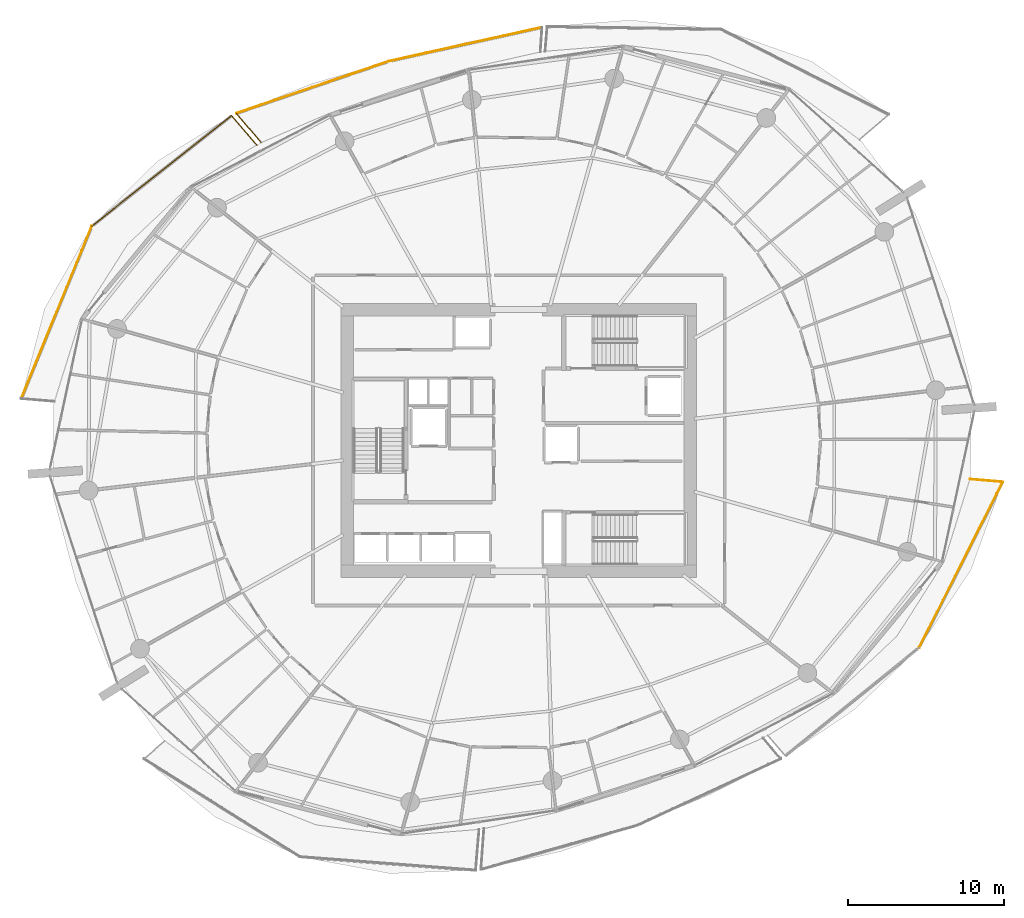
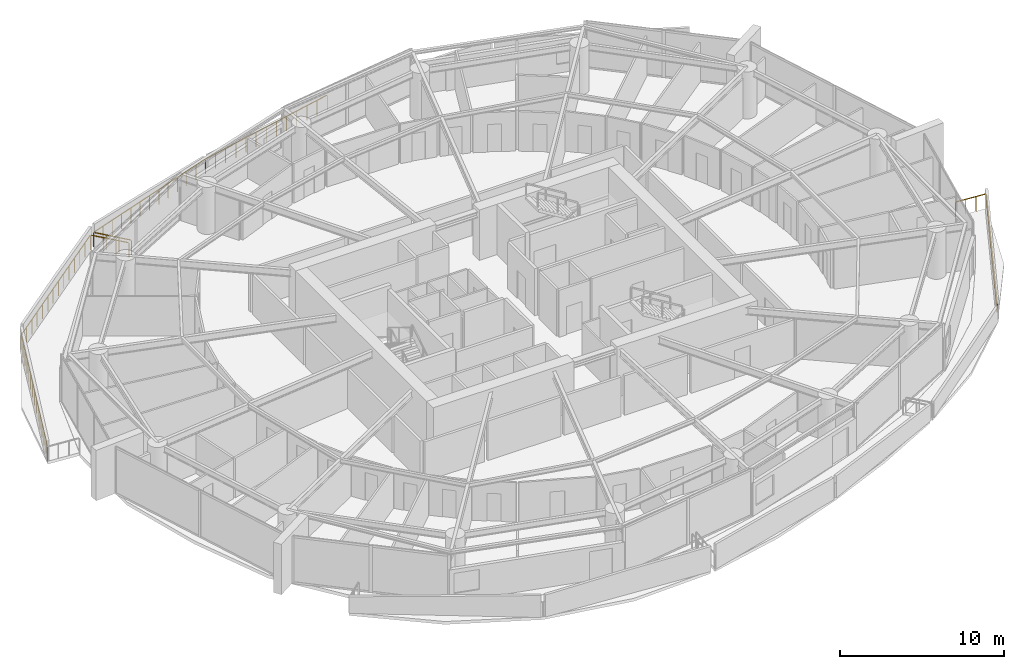
# One storey, part 21 of 23: 8 railings.
"""IFC4 building model written with IfcOpenShell, lengths in metres."""

from ifc_helpers import new_model, si_unit, direction, frame, origin, origin_2d, place, context, subcontext, project, spatial, rectangle, extrude, material, type_object, element, save


model = new_model("IFC4")

# Units and contexts
model_context = context("Model", 3, precision=1e-05, world=origin(), true_north=direction((0.0, 1.0)))
body_context = subcontext(model_context, "Body", "Model", "MODEL_VIEW")
ifc_project = project(units=[si_unit("LENGTHUNIT", "METRE"), si_unit("AREAUNIT", "SQUARE_METRE"), si_unit("VOLUMEUNIT", "CUBIC_METRE"), si_unit("PLANEANGLEUNIT", "RADIAN"), si_unit("MASSUNIT", "GRAM", prefix="KILO")], contexts=[model_context])

# Site, building, storey
site_placement = place(None, origin())
site = spatial("IfcSite", under=ifc_project, at=site_placement, CompositionType="ELEMENT")
building_placement = place(site_placement, origin())
building = spatial("IfcBuilding", under=site, at=building_placement, Name="Kazma Halo Residences", CompositionType="ELEMENT")
storey_placement = place(building_placement, frame((0.0, 0.0, 108.89990234375)))
storey = spatial("IfcBuildingStorey", under=building, at=storey_placement, Name="L27", CompositionType="ELEMENT", Elevation=108.89990234375)

# Railings
ifc_material = material(Name="Aluminium AW-6063 T6 Brushed Cap Rail", Category="aluminium")
railing_type = type_object("IfcRailingType", Name="RLG-BAL-CAP-1120", PredefinedType="BALUSTRADE", material=ifc_material)
railing_1_placement = place(storey_placement, frame((49.9248046875, 68.52685546875, 0.0)))
element("IfcRailing", 1, at=railing_1_placement, inside=storey, type_object=railing_type, Name="L27 NNW wave balcony guard 2", PredefinedType="BALUSTRADE", context=body_context, shape_type="SweptSolid", body=[
    extrude(rectangle(XDim=0.050048828125, YDim=0.050048828125, at=origin_2d()), frame((-0.04150390625, -0.00927734375, 1.09521484375), z_axis=(-0.976379400061, -0.216063109154, 0.0), x_axis=(0.216063109154, -0.976379400061, 0.0)), (0.0, 0.0, 1.0), 9.989501953125),
    extrude(rectangle(XDim=0.0400390625, YDim=0.0400390625, at=origin_2d()), origin(), (0.0, 0.0, 1.0), 1.05810546875),
    extrude(rectangle(XDim=0.0400390625, YDim=0.0400390625, at=origin_2d()), frame((-0.81982421875, -0.181396484375, 0.0)), (0.0, 0.0, 1.0), 1.05810546875),
    extrude(rectangle(XDim=0.0400390625, YDim=0.0400390625, at=origin_2d()), frame((-1.639404296875, -0.36279296875, 0.0)), (0.0, 0.0, 1.0), 1.05810546875),
    extrude(rectangle(XDim=0.0400390625, YDim=0.0400390625, at=origin_2d()), frame((-2.459228515625, -0.544189453125, 0.0)), (0.0, 0.0, 1.0), 1.05810546875),
    extrude(rectangle(XDim=0.0400390625, YDim=0.0400390625, at=origin_2d()), frame((-3.27880859375, -0.7255859375, 0.0)), (0.0, 0.0, 1.0), 1.05810546875),
    extrude(rectangle(XDim=0.0400390625, YDim=0.0400390625, at=origin_2d()), frame((-4.0986328125, -0.906982421875, 0.0)), (0.0, 0.0, 1.0), 1.05810546875),
    extrude(rectangle(XDim=0.0400390625, YDim=0.0400390625, at=origin_2d()), frame((-4.91845703125, -1.08837890625, 0.0)), (0.0, 0.0, 1.0), 1.05810546875),
    extrude(rectangle(XDim=0.0400390625, YDim=0.0400390625, at=origin_2d()), frame((-5.738037109375, -1.269775390625, 0.0)), (0.0, 0.0, 1.0), 1.05810546875),
    extrude(rectangle(XDim=0.0400390625, YDim=0.0400390625, at=origin_2d()), frame((-6.557861328125, -1.451171875, 0.0)), (0.0, 0.0, 1.0), 1.05810546875),
    extrude(rectangle(XDim=0.0400390625, YDim=0.0400390625, at=origin_2d()), frame((-7.37744140625, -1.632568359375, 0.0)), (0.0, 0.0, 1.0), 1.05810546875),
    extrude(rectangle(XDim=0.0400390625, YDim=0.0400390625, at=origin_2d()), frame((-8.197265625, -1.81396484375, 0.0)), (0.0, 0.0, 1.0), 1.05810546875),
    extrude(rectangle(XDim=0.0400390625, YDim=0.0400390625, at=origin_2d()), frame((-9.016845703125, -1.995361328125, 0.0)), (0.0, 0.0, 1.0), 1.05810546875),
    extrude(rectangle(XDim=0.0400390625, YDim=0.0400390625, at=origin_2d()), frame((-9.836669921875, -2.1767578125, 0.0)), (0.0, 0.0, 1.0), 1.05810546875),
])
railing_2_placement = place(storey_placement, frame((40.088134765625, 66.35009765625, 0.0)))
element("IfcRailing", 2, at=railing_2_placement, inside=storey, type_object=railing_type, Name="L27 NNW wave balcony guard 3", PredefinedType="BALUSTRADE", context=body_context, shape_type="SweptSolid", body=[
    extrude(rectangle(XDim=0.050048828125, YDim=0.050048828125, at=origin_2d()), frame((-0.040283203125, -0.013671875, 1.09521484375), z_axis=(-0.946372877158, -0.32307642653, 0.0), x_axis=(0.32307642653, -0.946372877158, 0.0)), (0.0, 0.0, 1.0), 10.27587890625),
    extrude(rectangle(XDim=0.0400390625, YDim=0.0400390625, at=origin_2d()), origin(), (0.0, 0.0, 1.0), 1.05810546875),
    extrude(rectangle(XDim=0.0400390625, YDim=0.0400390625, at=origin_2d()), frame((-0.817138671875, -0.279052734375, 0.0)), (0.0, 0.0, 1.0), 1.05810546875),
    extrude(rectangle(XDim=0.0400390625, YDim=0.0400390625, at=origin_2d()), frame((-1.63427734375, -0.557861328125, 0.0)), (0.0, 0.0, 1.0), 1.05810546875),
    extrude(rectangle(XDim=0.0400390625, YDim=0.0400390625, at=origin_2d()), frame((-2.451416015625, -0.8369140625, 0.0)), (0.0, 0.0, 1.0), 1.05810546875),
    extrude(rectangle(XDim=0.0400390625, YDim=0.0400390625, at=origin_2d()), frame((-3.2685546875, -1.11572265625, 0.0)), (0.0, 0.0, 1.0), 1.05810546875),
    extrude(rectangle(XDim=0.0400390625, YDim=0.0400390625, at=origin_2d()), frame((-4.085693359375, -1.394775390625, 0.0)), (0.0, 0.0, 1.0), 1.05810546875),
    extrude(rectangle(XDim=0.0400390625, YDim=0.0400390625, at=origin_2d()), frame((-4.90283203125, -1.673828125, 0.0)), (0.0, 0.0, 1.0), 1.05810546875),
    extrude(rectangle(XDim=0.0400390625, YDim=0.0400390625, at=origin_2d()), frame((-5.7197265625, -1.95263671875, 0.0)), (0.0, 0.0, 1.0), 1.05810546875),
    extrude(rectangle(XDim=0.0400390625, YDim=0.0400390625, at=origin_2d()), frame((-6.536865234375, -2.231689453125, 0.0)), (0.0, 0.0, 1.0), 1.05810546875),
    extrude(rectangle(XDim=0.0400390625, YDim=0.0400390625, at=origin_2d()), frame((-7.35400390625, -2.510498046875, 0.0)), (0.0, 0.0, 1.0), 1.05810546875),
    extrude(rectangle(XDim=0.0400390625, YDim=0.0400390625, at=origin_2d()), frame((-8.171142578125, -2.78955078125, 0.0)), (0.0, 0.0, 1.0), 1.05810546875),
    extrude(rectangle(XDim=0.0400390625, YDim=0.0400390625, at=origin_2d()), frame((-8.98828125, -3.068359375, 0.0)), (0.0, 0.0, 1.0), 1.05810546875),
    extrude(rectangle(XDim=0.0400390625, YDim=0.0400390625, at=origin_2d()), frame((-9.805419921875, -3.347412109375, 0.0)), (0.0, 0.0, 1.0), 1.05810546875),
])
railing_3_placement = place(storey_placement, frame((30.28271484375, 63.002685546875, 0.0)))
element("IfcRailing", 3, at=railing_3_placement, inside=storey, type_object=railing_type, Name="L27 NNW wave balcony guard 4", PredefinedType="BALUSTRADE", context=body_context, shape_type="SweptSolid", body=[
    extrude(rectangle(XDim=0.050048828125, YDim=0.050048828125, at=origin_2d()), frame((0.02734375, -0.032470703125, 1.09521484375), z_axis=(0.644778769126, -0.764369242503, 0.0), x_axis=(0.764369242503, 0.644778769126, 0.0)), (0.0, 0.0, 1.0), 2.381103515625),
    extrude(rectangle(XDim=0.0400390625, YDim=0.0400390625, at=origin_2d()), origin(), (0.0, 0.0, 1.0), 1.05810546875),
    extrude(rectangle(XDim=0.0400390625, YDim=0.0400390625, at=origin_2d()), frame((0.530029296875, -0.62841796875, 0.0)), (0.0, 0.0, 1.0), 1.05810546875),
    extrude(rectangle(XDim=0.0400390625, YDim=0.0400390625, at=origin_2d()), frame((1.06005859375, -1.256591796875, 0.0)), (0.0, 0.0, 1.0), 1.05810546875),
    extrude(rectangle(XDim=0.0400390625, YDim=0.0400390625, at=origin_2d()), frame((1.590087890625, -1.885009765625, 0.0)), (0.0, 0.0, 1.0), 1.05810546875),
])
railing_4_placement = place(storey_placement, frame((31.59423828125, 60.972900390625, 0.0)))
element("IfcRailing", 4, at=railing_4_placement, inside=storey, type_object=railing_type, Name="L27 NW wave balcony guard 1", PredefinedType="BALUSTRADE", context=body_context, shape_type="SweptSolid", body=[
    extrude(rectangle(XDim=0.050048828125, YDim=0.050048828125, at=origin_2d()), frame((-0.02783203125, 0.0322265625, 1.09521484375), z_axis=(-0.654151932932, 0.756363172452, 0.0), x_axis=(-0.756363172452, -0.654151932932, 0.0)), (0.0, 0.0, 1.0), 2.399169921875),
    extrude(rectangle(XDim=0.0400390625, YDim=0.0400390625, at=origin_2d()), origin(), (0.0, 0.0, 1.0), 1.05810546875),
    extrude(rectangle(XDim=0.0400390625, YDim=0.0400390625, at=origin_2d()), frame((-0.541748046875, 0.626220703125, 0.0)), (0.0, 0.0, 1.0), 1.05810546875),
    extrude(rectangle(XDim=0.0400390625, YDim=0.0400390625, at=origin_2d()), frame((-1.083251953125, 1.252685546875, 0.0)), (0.0, 0.0, 1.0), 1.05810546875),
    extrude(rectangle(XDim=0.0400390625, YDim=0.0400390625, at=origin_2d()), frame((-1.625, 1.87890625, 0.0)), (0.0, 0.0, 1.0), 1.05810546875),
])
railing_5_placement = place(storey_placement, frame((29.96923828125, 62.851806640625, 0.0)))
element("IfcRailing", 5, at=railing_5_placement, inside=storey, type_object=railing_type, Name="L27 NW wave balcony guard 2", PredefinedType="BALUSTRADE", context=body_context, shape_type="SweptSolid", body=[
    extrude(rectangle(XDim=0.050048828125, YDim=0.050048828125, at=origin_2d()), frame((-0.033447265625, -0.0263671875, 1.09521484375), z_axis=(-0.784316306459, -0.620361129845, 0.0), x_axis=(0.620361129845, -0.784316306459, 0.0)), (0.0, 0.0, 1.0), 11.35107421875),
    extrude(rectangle(XDim=0.0400390625, YDim=0.0400390625, at=origin_2d()), origin(), (0.0, 0.0, 1.0), 1.05810546875),
    extrude(rectangle(XDim=0.0400390625, YDim=0.0400390625, at=origin_2d()), frame((-0.68994140625, -0.545654296875, 0.0)), (0.0, 0.0, 1.0), 1.05810546875),
    extrude(rectangle(XDim=0.0400390625, YDim=0.0400390625, at=origin_2d()), frame((-1.3798828125, -1.091552734375, 0.0)), (0.0, 0.0, 1.0), 1.05810546875),
    extrude(rectangle(XDim=0.0400390625, YDim=0.0400390625, at=origin_2d()), frame((-2.06982421875, -1.63720703125, 0.0)), (0.0, 0.0, 1.0), 1.05810546875),
    extrude(rectangle(XDim=0.0400390625, YDim=0.0400390625, at=origin_2d()), frame((-2.759765625, -2.182861328125, 0.0)), (0.0, 0.0, 1.0), 1.05810546875),
    extrude(rectangle(XDim=0.0400390625, YDim=0.0400390625, at=origin_2d()), frame((-3.44970703125, -2.728759765625, 0.0)), (0.0, 0.0, 1.0), 1.05810546875),
    extrude(rectangle(XDim=0.0400390625, YDim=0.0400390625, at=origin_2d()), frame((-4.1396484375, -3.2744140625, 0.0)), (0.0, 0.0, 1.0), 1.05810546875),
    extrude(rectangle(XDim=0.0400390625, YDim=0.0400390625, at=origin_2d()), frame((-4.829833984375, -3.820068359375, 0.0)), (0.0, 0.0, 1.0), 1.05810546875),
    extrude(rectangle(XDim=0.0400390625, YDim=0.0400390625, at=origin_2d()), frame((-5.519775390625, -4.36572265625, 0.0)), (0.0, 0.0, 1.0), 1.05810546875),
    extrude(rectangle(XDim=0.0400390625, YDim=0.0400390625, at=origin_2d()), frame((-6.209716796875, -4.91162109375, 0.0)), (0.0, 0.0, 1.0), 1.05810546875),
    extrude(rectangle(XDim=0.0400390625, YDim=0.0400390625, at=origin_2d()), frame((-6.899658203125, -5.457275390625, 0.0)), (0.0, 0.0, 1.0), 1.05810546875),
    extrude(rectangle(XDim=0.0400390625, YDim=0.0400390625, at=origin_2d()), frame((-7.589599609375, -6.0029296875, 0.0)), (0.0, 0.0, 1.0), 1.05810546875),
    extrude(rectangle(XDim=0.0400390625, YDim=0.0400390625, at=origin_2d()), frame((-8.279541015625, -6.548828125, 0.0)), (0.0, 0.0, 1.0), 1.05810546875),
    extrude(rectangle(XDim=0.0400390625, YDim=0.0400390625, at=origin_2d()), frame((-8.969482421875, -7.094482421875, 0.0)), (0.0, 0.0, 1.0), 1.05810546875),
])
railing_6_placement = place(storey_placement, frame((20.999755859375, 55.75732421875, 0.0)))
element("IfcRailing", 6, at=railing_6_placement, inside=storey, type_object=railing_type, Name="L27 NW wave balcony guard 3", PredefinedType="BALUSTRADE", context=body_context, shape_type="SweptSolid", body=[
    extrude(rectangle(XDim=0.050048828125, YDim=0.050048828125, at=origin_2d()), frame((-0.01611328125, -0.039306640625, 1.09521484375), z_axis=(-0.37827548342, -0.925693069351, 0.0), x_axis=(0.925693069351, -0.37827548342, 0.0)), (0.0, 0.0, 1.0), 11.886474609375),
    extrude(rectangle(XDim=0.0400390625, YDim=0.0400390625, at=origin_2d()), origin(), (0.0, 0.0, 1.0), 1.05810546875),
    extrude(rectangle(XDim=0.0400390625, YDim=0.0400390625, at=origin_2d()), frame((-0.323486328125, -0.79150390625, 0.0)), (0.0, 0.0, 1.0), 1.05810546875),
    extrude(rectangle(XDim=0.0400390625, YDim=0.0400390625, at=origin_2d()), frame((-0.64697265625, -1.583251953125, 0.0)), (0.0, 0.0, 1.0), 1.05810546875),
    extrude(rectangle(XDim=0.0400390625, YDim=0.0400390625, at=origin_2d()), frame((-0.970458984375, -2.374755859375, 0.0)), (0.0, 0.0, 1.0), 1.05810546875),
    extrude(rectangle(XDim=0.0400390625, YDim=0.0400390625, at=origin_2d()), frame((-1.2939453125, -3.166259765625, 0.0)), (0.0, 0.0, 1.0), 1.05810546875),
    extrude(rectangle(XDim=0.0400390625, YDim=0.0400390625, at=origin_2d()), frame((-1.617431640625, -3.957763671875, 0.0)), (0.0, 0.0, 1.0), 1.05810546875),
    extrude(rectangle(XDim=0.0400390625, YDim=0.0400390625, at=origin_2d()), frame((-1.94091796875, -4.74951171875, 0.0)), (0.0, 0.0, 1.0), 1.05810546875),
    extrude(rectangle(XDim=0.0400390625, YDim=0.0400390625, at=origin_2d()), frame((-2.26416015625, -5.541015625, 0.0)), (0.0, 0.0, 1.0), 1.05810546875),
    extrude(rectangle(XDim=0.0400390625, YDim=0.0400390625, at=origin_2d()), frame((-2.587646484375, -6.33251953125, 0.0)), (0.0, 0.0, 1.0), 1.05810546875),
    extrude(rectangle(XDim=0.0400390625, YDim=0.0400390625, at=origin_2d()), frame((-2.9111328125, -7.124267578125, 0.0)), (0.0, 0.0, 1.0), 1.05810546875),
    extrude(rectangle(XDim=0.0400390625, YDim=0.0400390625, at=origin_2d()), frame((-3.234619140625, -7.915771484375, 0.0)), (0.0, 0.0, 1.0), 1.05810546875),
    extrude(rectangle(XDim=0.0400390625, YDim=0.0400390625, at=origin_2d()), frame((-3.55810546875, -8.707275390625, 0.0)), (0.0, 0.0, 1.0), 1.05810546875),
    extrude(rectangle(XDim=0.0400390625, YDim=0.0400390625, at=origin_2d()), frame((-3.881591796875, -9.498779296875, 0.0)), (0.0, 0.0, 1.0), 1.05810546875),
    extrude(rectangle(XDim=0.0400390625, YDim=0.0400390625, at=origin_2d()), frame((-4.205078125, -10.29052734375, 0.0)), (0.0, 0.0, 1.0), 1.05810546875),
    extrude(rectangle(XDim=0.0400390625, YDim=0.0400390625, at=origin_2d()), frame((-4.528564453125, -11.08203125, 0.0)), (0.0, 0.0, 1.0), 1.05810546875),
])
railing_7_placement = place(storey_placement, frame((74.144287109375, 28.678955078125, 0.0)))
element("IfcRailing", 7, at=railing_7_placement, inside=storey, type_object=railing_type, Name="L27 SE wave balcony guard 3", PredefinedType="BALUSTRADE", context=body_context, shape_type="SweptSolid", body=[
    extrude(rectangle(XDim=0.050048828125, YDim=0.050048828125, at=origin_2d()), frame((0.01904296875, 0.0380859375, 1.09521484375), z_axis=(0.450012590913, 0.893022210261, 0.0), x_axis=(-0.893022210261, 0.450012590913, 0.0)), (0.0, 0.0, 1.0), 11.837890625),
    extrude(rectangle(XDim=0.0400390625, YDim=0.0400390625, at=origin_2d()), origin(), (0.0, 0.0, 1.0), 1.05810546875),
    extrude(rectangle(XDim=0.0400390625, YDim=0.0400390625, at=origin_2d()), frame((0.38330078125, 0.760498046875, 0.0)), (0.0, 0.0, 1.0), 1.05810546875),
    extrude(rectangle(XDim=0.0400390625, YDim=0.0400390625, at=origin_2d()), frame((0.7666015625, 1.52099609375, 0.0)), (0.0, 0.0, 1.0), 1.05810546875),
    extrude(rectangle(XDim=0.0400390625, YDim=0.0400390625, at=origin_2d()), frame((1.149658203125, 2.281494140625, 0.0)), (0.0, 0.0, 1.0), 1.05810546875),
    extrude(rectangle(XDim=0.0400390625, YDim=0.0400390625, at=origin_2d()), frame((1.532958984375, 3.042236328125, 0.0)), (0.0, 0.0, 1.0), 1.05810546875),
    extrude(rectangle(XDim=0.0400390625, YDim=0.0400390625, at=origin_2d()), frame((1.916259765625, 3.802734375, 0.0)), (0.0, 0.0, 1.0), 1.05810546875),
    extrude(rectangle(XDim=0.0400390625, YDim=0.0400390625, at=origin_2d()), frame((2.299560546875, 4.563232421875, 0.0)), (0.0, 0.0, 1.0), 1.05810546875),
    extrude(rectangle(XDim=0.0400390625, YDim=0.0400390625, at=origin_2d()), frame((2.6826171875, 5.32373046875, 0.0)), (0.0, 0.0, 1.0), 1.05810546875),
    extrude(rectangle(XDim=0.0400390625, YDim=0.0400390625, at=origin_2d()), frame((3.06591796875, 6.084228515625, 0.0)), (0.0, 0.0, 1.0), 1.05810546875),
    extrude(rectangle(XDim=0.0400390625, YDim=0.0400390625, at=origin_2d()), frame((3.44921875, 6.8447265625, 0.0)), (0.0, 0.0, 1.0), 1.05810546875),
    extrude(rectangle(XDim=0.0400390625, YDim=0.0400390625, at=origin_2d()), frame((3.83251953125, 7.605224609375, 0.0)), (0.0, 0.0, 1.0), 1.05810546875),
    extrude(rectangle(XDim=0.0400390625, YDim=0.0400390625, at=origin_2d()), frame((4.2158203125, 8.365966796875, 0.0)), (0.0, 0.0, 1.0), 1.05810546875),
    extrude(rectangle(XDim=0.0400390625, YDim=0.0400390625, at=origin_2d()), frame((4.598876953125, 9.12646484375, 0.0)), (0.0, 0.0, 1.0), 1.05810546875),
    extrude(rectangle(XDim=0.0400390625, YDim=0.0400390625, at=origin_2d()), frame((4.982177734375, 9.886962890625, 0.0)), (0.0, 0.0, 1.0), 1.05810546875),
    extrude(rectangle(XDim=0.0400390625, YDim=0.0400390625, at=origin_2d()), frame((5.365478515625, 10.6474609375, 0.0)), (0.0, 0.0, 1.0), 1.05810546875),
])
railing_8_placement = place(storey_placement, frame((79.509765625, 39.326416015625, 0.0)))
element("IfcRailing", 8, at=railing_8_placement, inside=storey, type_object=railing_type, Name="L27 SE wave balcony guard 4", PredefinedType="BALUSTRADE", context=body_context, shape_type="SweptSolid", body=[
    extrude(rectangle(XDim=0.050048828125, YDim=0.050048828125, at=origin_2d()), frame((-0.04248046875, 0.003662109375, 1.09521484375), z_axis=(-0.996418565271, 0.084557925611, 0.0), x_axis=(-0.084557925611, -0.996418565271, 0.0)), (0.0, 0.0, 1.0), 2.025390625),
    extrude(rectangle(XDim=0.0400390625, YDim=0.0400390625, at=origin_2d()), origin(), (0.0, 0.0, 1.0), 1.05810546875),
    extrude(rectangle(XDim=0.0400390625, YDim=0.0400390625, at=origin_2d()), frame((-0.700927734375, 0.0595703125, 0.0)), (0.0, 0.0, 1.0), 1.05810546875),
    extrude(rectangle(XDim=0.0400390625, YDim=0.0400390625, at=origin_2d()), frame((-1.402099609375, 0.118896484375, 0.0)), (0.0, 0.0, 1.0), 1.05810546875),
    extrude(rectangle(XDim=0.0400390625, YDim=0.0400390625, at=origin_2d()), frame((-2.10302734375, 0.178466796875, 0.0)), (0.0, 0.0, 1.0), 1.05810546875),
])

save(model, "model.ifc")
